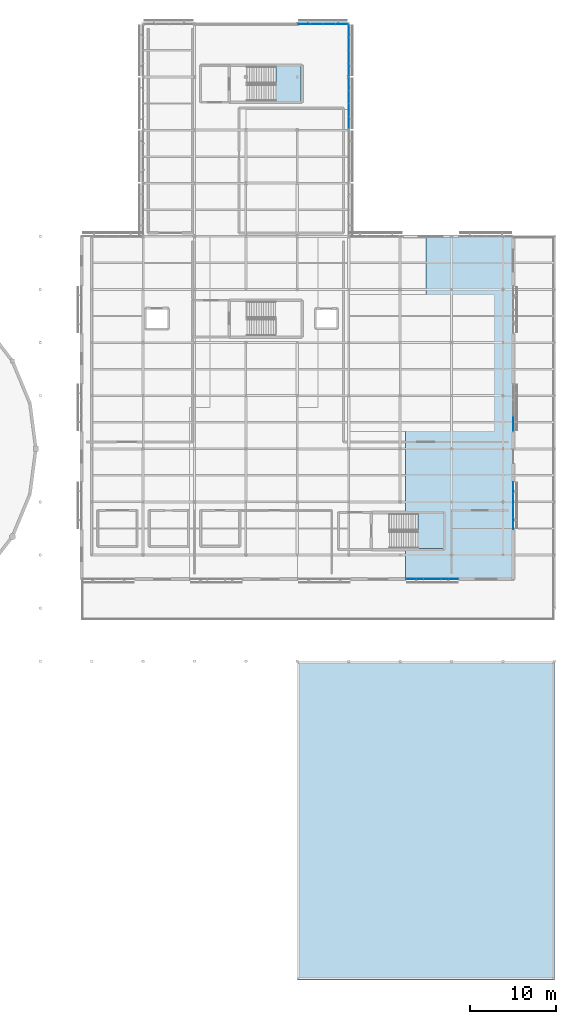
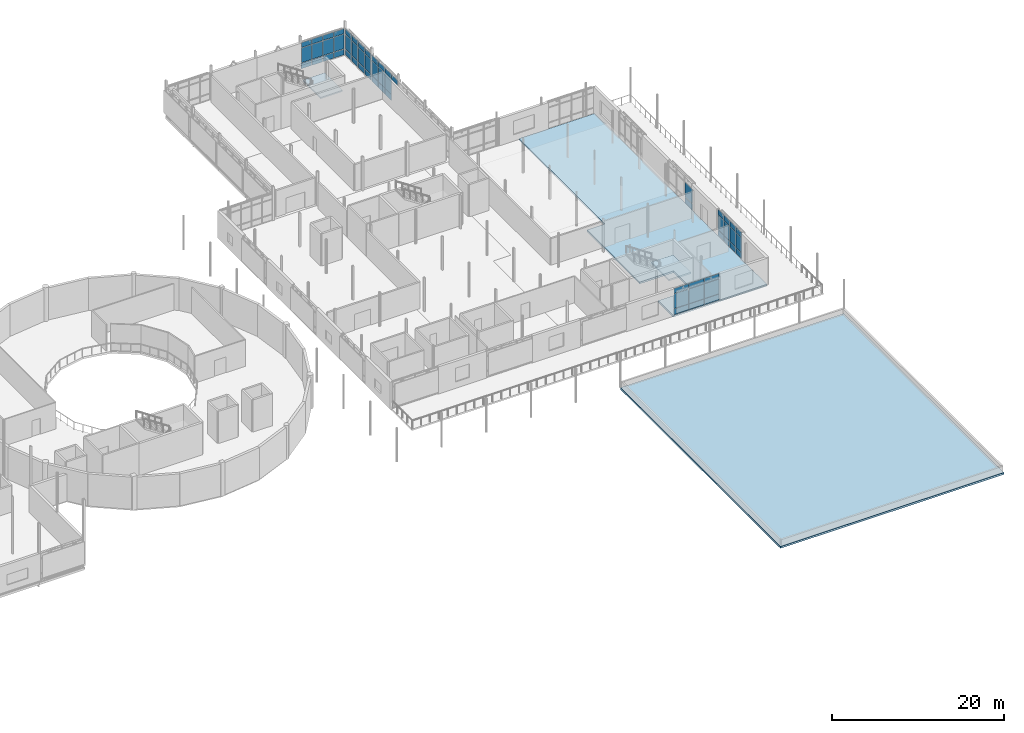
# One storey, part 42 of 66: 57 plates, 4 slabs, 8 elements without a shape of their own.
"""IFC4 building model written with IfcOpenShell, lengths in metres."""

from ifc_helpers import new_model, si_unit, direction, frame, origin, origin_2d, place, context, subcontext, project, spatial, polyline, rectangle, outline, extrude, material, layer, layer_set, type_object, element, aggregate, save


model = new_model("IFC4")

# Units and contexts
model_context = context("Model", 3, precision=1e-05, world=origin(), true_north=direction((0.0, 1.0)))
body_context = subcontext(model_context, "Body", "Model", "MODEL_VIEW")
ifc_project = project(units=[si_unit("LENGTHUNIT", "METRE"), si_unit("AREAUNIT", "SQUARE_METRE"), si_unit("VOLUMEUNIT", "CUBIC_METRE"), si_unit("PLANEANGLEUNIT", "RADIAN"), si_unit("MASSUNIT", "GRAM", prefix="KILO")], contexts=[model_context])

# Site, building, storey
site_placement = place(None, origin())
site = spatial("IfcSite", under=ifc_project, at=site_placement, CompositionType="ELEMENT")
building_placement = place(site_placement, origin())
building = spatial("IfcBuilding", under=site, at=building_placement, Name="Mirzam Square Science Centre", CompositionType="ELEMENT")
storey_placement = place(building_placement, frame((0.0, 0.0, 15.60009765625)))
storey = spatial("IfcBuildingStorey", under=building, at=storey_placement, Name="L03", CompositionType="ELEMENT", Elevation=15.60009765625)

# Curtain wall, plates
ifc_material_1 = material(Name="Anodised Aluminium and Low-E Solar Glass", Category="aluminium")
ifc_layer_1 = layer(ifc_material_1, 0.159912109375)
ifc_layer_set_1 = layer_set([ifc_layer_1], Name="CW-COURT-B")
curtain_wall_type_1 = type_object("IfcCurtainWallType", Name="CW-COURT-B", PredefinedType="USERDEFINED", material=ifc_layer_set_1)
curtain_wall_1_placement = place(storey_placement, origin())
curtain_wall_1 = element("IfcCurtainWall", 1, at=curtain_wall_1_placement, inside=storey, type_object=curtain_wall_type_1, Name="L03 unitised curtain wall 127", ObjectType="UNITISED CURTAIN WALL", PredefinedType="USERDEFINED")
ifc_material_2 = material(Name="Ceramic-Fritted Courtyard Solar Glass", Category="glass")
ifc_layer_2 = layer(ifc_material_2, 0.02392578125)
ifc_layer_set_2 = layer_set([ifc_layer_2], Name="CWP-GLZ-24")
plate_type_1 = type_object("IfcPlateType", Name="CWP-GLZ-24", PredefinedType="CURTAIN_PANEL", material=ifc_layer_set_2)
plate_1_placement = place(storey_placement, frame((157.199951171875, 53.284912109375, 0.059814453125), z_axis=(0.0, 0.0, 1.0), x_axis=(0.0, 1.0, 0.0)))
plate_1 = element("IfcPlate", 2, at=plate_1_placement, type_object=plate_type_1, Name="CW-04 panel 1.1", PredefinedType="CURTAIN_PANEL", context=body_context, shape_type="SweptSolid", body=[
    extrude(rectangle(XDim=1.31103515625, YDim=0.02392578125, at=origin_2d()), origin(), (0.0, 0.0, 1.0), 0.81005859375),
])
plate_2_placement = place(storey_placement, frame((157.199951171875, 53.284912109375, 0.929931640625), z_axis=(0.0, 0.0, 1.0), x_axis=(0.0, 1.0, 0.0)))
plate_2 = element("IfcPlate", 3, at=plate_2_placement, type_object=plate_type_1, Name="CW-04 panel 1.2", PredefinedType="CURTAIN_PANEL", context=body_context, shape_type="SweptSolid", body=[
    extrude(rectangle(XDim=1.31103515625, YDim=0.02392578125, at=origin_2d()), origin(), (0.0, 0.0, 1.0), 2.080078125),
])
plate_3_placement = place(storey_placement, frame((157.199951171875, 53.284912109375, 3.06982421875), z_axis=(0.0, 0.0, 1.0), x_axis=(0.0, 1.0, 0.0)))
plate_3 = element("IfcPlate", 4, at=plate_3_placement, type_object=plate_type_1, Name="CW-04 panel 1.3", PredefinedType="CURTAIN_PANEL", context=body_context, shape_type="SweptSolid", body=[
    extrude(rectangle(XDim=1.31103515625, YDim=0.02392578125, at=origin_2d()), origin(), (0.0, 0.0, 1.0), 0.7099609375),
])
plate_4_placement = place(storey_placement, frame((157.199951171875, 54.6708984375, 0.059814453125), z_axis=(0.0, 0.0, 1.0), x_axis=(0.0, 1.0, 0.0)))
plate_4 = element("IfcPlate", 5, at=plate_4_placement, type_object=plate_type_1, Name="CW-04 panel 2.1", PredefinedType="CURTAIN_PANEL", context=body_context, shape_type="SweptSolid", body=[
    extrude(rectangle(XDim=1.341064453125, YDim=0.02392578125, at=origin_2d()), origin(), (0.0, 0.0, 1.0), 0.81005859375),
])
plate_5_placement = place(storey_placement, frame((157.199951171875, 54.6708984375, 0.929931640625), z_axis=(0.0, 0.0, 1.0), x_axis=(0.0, 1.0, 0.0)))
plate_5 = element("IfcPlate", 6, at=plate_5_placement, type_object=plate_type_1, Name="CW-04 panel 2.2", PredefinedType="CURTAIN_PANEL", context=body_context, shape_type="SweptSolid", body=[
    extrude(rectangle(XDim=1.341064453125, YDim=0.02392578125, at=origin_2d()), origin(), (0.0, 0.0, 1.0), 2.080078125),
])
plate_6_placement = place(storey_placement, frame((157.199951171875, 54.6708984375, 3.06982421875), z_axis=(0.0, 0.0, 1.0), x_axis=(0.0, 1.0, 0.0)))
plate_6 = element("IfcPlate", 7, at=plate_6_placement, type_object=plate_type_1, Name="CW-04 panel 2.3", PredefinedType="CURTAIN_PANEL", context=body_context, shape_type="SweptSolid", body=[
    extrude(rectangle(XDim=1.341064453125, YDim=0.02392578125, at=origin_2d()), origin(), (0.0, 0.0, 1.0), 0.7099609375),
])
plate_7_placement = place(storey_placement, frame((157.199951171875, 56.072021484375, 0.059814453125), z_axis=(0.0, 0.0, 1.0), x_axis=(0.0, 1.0, 0.0)))
plate_7 = element("IfcPlate", 8, at=plate_7_placement, type_object=plate_type_1, Name="CW-04 panel 3.1", PredefinedType="CURTAIN_PANEL", context=body_context, shape_type="SweptSolid", body=[
    extrude(rectangle(XDim=1.341064453125, YDim=0.02392578125, at=origin_2d()), origin(), (0.0, 0.0, 1.0), 0.81005859375),
])
plate_8_placement = place(storey_placement, frame((157.199951171875, 56.072021484375, 0.929931640625), z_axis=(0.0, 0.0, 1.0), x_axis=(0.0, 1.0, 0.0)))
plate_8 = element("IfcPlate", 9, at=plate_8_placement, type_object=plate_type_1, Name="CW-04 panel 3.2", PredefinedType="CURTAIN_PANEL", context=body_context, shape_type="SweptSolid", body=[
    extrude(rectangle(XDim=1.341064453125, YDim=0.02392578125, at=origin_2d()), origin(), (0.0, 0.0, 1.0), 2.080078125),
])
plate_9_placement = place(storey_placement, frame((157.199951171875, 56.072021484375, 3.06982421875), z_axis=(0.0, 0.0, 1.0), x_axis=(0.0, 1.0, 0.0)))
plate_9 = element("IfcPlate", 10, at=plate_9_placement, type_object=plate_type_1, Name="CW-04 panel 3.3", PredefinedType="CURTAIN_PANEL", context=body_context, shape_type="SweptSolid", body=[
    extrude(rectangle(XDim=1.341064453125, YDim=0.02392578125, at=origin_2d()), origin(), (0.0, 0.0, 1.0), 0.7099609375),
])
plate_10_placement = place(storey_placement, frame((157.199951171875, 57.4580078125, 0.059814453125), z_axis=(0.0, 0.0, 1.0), x_axis=(0.0, 1.0, 0.0)))
plate_10 = element("IfcPlate", 11, at=plate_10_placement, type_object=plate_type_1, Name="CW-04 panel 4.1", PredefinedType="CURTAIN_PANEL", context=body_context, shape_type="SweptSolid", body=[
    extrude(rectangle(XDim=1.31103515625, YDim=0.02392578125, at=origin_2d()), origin(), (0.0, 0.0, 1.0), 0.81005859375),
])
plate_11_placement = place(storey_placement, frame((157.199951171875, 57.4580078125, 0.929931640625), z_axis=(0.0, 0.0, 1.0), x_axis=(0.0, 1.0, 0.0)))
plate_11 = element("IfcPlate", 12, at=plate_11_placement, type_object=plate_type_1, Name="CW-04 panel 4.2", PredefinedType="CURTAIN_PANEL", context=body_context, shape_type="SweptSolid", body=[
    extrude(rectangle(XDim=1.31103515625, YDim=0.02392578125, at=origin_2d()), origin(), (0.0, 0.0, 1.0), 2.080078125),
])
plate_12_placement = place(storey_placement, frame((157.199951171875, 57.4580078125, 3.06982421875), z_axis=(0.0, 0.0, 1.0), x_axis=(0.0, 1.0, 0.0)))
plate_12 = element("IfcPlate", 13, at=plate_12_placement, type_object=plate_type_1, Name="CW-04 panel 4.3", PredefinedType="CURTAIN_PANEL", context=body_context, shape_type="SweptSolid", body=[
    extrude(rectangle(XDim=1.31103515625, YDim=0.02392578125, at=origin_2d()), origin(), (0.0, 0.0, 1.0), 0.7099609375),
])
aggregate(curtain_wall_1, [plate_1, plate_2, plate_3, plate_4, plate_5, plate_6, plate_7, plate_8, plate_9, plate_10, plate_11, plate_12])

ifc_layer_3 = layer(ifc_material_1, 0.239990234375)
ifc_layer_set_3 = layer_set([ifc_layer_3], Name="CW-EAST-B")
curtain_wall_type_2 = type_object("IfcCurtainWallType", Name="CW-EAST-B", PredefinedType="USERDEFINED", material=ifc_layer_set_3)
curtain_wall_2_placement = place(storey_placement, origin())
curtain_wall_2 = element("IfcCurtainWall", 14, at=curtain_wall_2_placement, inside=storey, type_object=curtain_wall_type_2, Name="L03 unitised curtain wall 128", ObjectType="UNITISED CURTAIN WALL", PredefinedType="USERDEFINED")
ifc_material_3 = material(Name="Double-Silver Low-E Insulated Solar Glass", Category="glass")
ifc_layer_4 = layer(ifc_material_3, 0.028076171875)
ifc_layer_set_4 = layer_set([ifc_layer_4], Name="CWP-GLZ-28")
plate_type_2 = type_object("IfcPlateType", Name="CWP-GLZ-28", PredefinedType="CURTAIN_PANEL", material=ifc_layer_set_4)
plate_13_placement = place(storey_placement, frame((157.199951171875, 64.95068359375, 0.074951171875), z_axis=(0.0, 0.0, 1.0), x_axis=(0.0, 1.0, 0.0)))
plate_13 = element("IfcPlate", 15, at=plate_13_placement, type_object=plate_type_2, Name="CW-06 panel 1.1", PredefinedType="CURTAIN_PANEL", context=body_context, shape_type="SweptSolid", body=[
    extrude(rectangle(XDim=1.755615234375, YDim=0.028076171875, at=origin_2d()), origin(), (0.0, 0.0, 1.0), 0.78759765625),
])
plate_14_placement = place(storey_placement, frame((157.199951171875, 64.95068359375, 0.9375), z_axis=(0.0, 0.0, 1.0), x_axis=(0.0, 1.0, 0.0)))
plate_14 = element("IfcPlate", 16, at=plate_14_placement, type_object=plate_type_2, Name="CW-06 panel 1.2", PredefinedType="CURTAIN_PANEL", context=body_context, shape_type="SweptSolid", body=[
    extrude(rectangle(XDim=1.755615234375, YDim=0.028076171875, at=origin_2d()), origin(), (0.0, 0.0, 1.0), 2.06494140625),
])
aggregate(curtain_wall_2, [plate_13, plate_14])

ifc_layer_5 = layer(ifc_material_1, 0.219970703125)
ifc_layer_set_5 = layer_set([ifc_layer_5], Name="CW-OBS-A")
curtain_wall_type_3 = type_object("IfcCurtainWallType", Name="CW-OBS-A", PredefinedType="USERDEFINED", material=ifc_layer_set_5)
curtain_wall_3_placement = place(storey_placement, origin())
curtain_wall_3 = element("IfcCurtainWall", 17, at=curtain_wall_3_placement, inside=storey, type_object=curtain_wall_type_3, Name="L03 unitised curtain wall 143", ObjectType="UNITISED CURTAIN WALL", PredefinedType="USERDEFINED")
ifc_material_4 = material(Name="Triple-Glazed Acoustic Low-E Solar Glass", Category="glass")
ifc_layer_6 = layer(ifc_material_4, 0.031982421875)
ifc_layer_set_6 = layer_set([ifc_layer_6], Name="CWP-GLZ-32")
plate_type_3 = type_object("IfcPlateType", Name="CWP-GLZ-32", PredefinedType="CURTAIN_PANEL", material=ifc_layer_set_6)
plate_15_placement = place(storey_placement, frame((138.0, 100.03125, 3.06982421875), z_axis=(0.0, 0.0, 1.0), x_axis=(0.0, 1.0, 0.0)))
plate_15 = element("IfcPlate", 18, at=plate_15_placement, type_object=plate_type_3, Name="CW-07 panel 1.3", PredefinedType="CURTAIN_PANEL", context=body_context, shape_type="SweptSolid", body=[
    extrude(rectangle(XDim=1.4326171875, YDim=0.031982421875, at=origin_2d()), origin(), (0.0, 0.0, 1.0), 0.7099609375),
])
plate_16_placement = place(storey_placement, frame((138.0, 101.538818359375, 0.059814453125), z_axis=(0.0, 0.0, 1.0), x_axis=(0.0, 1.0, 0.0)))
plate_16 = element("IfcPlate", 19, at=plate_16_placement, type_object=plate_type_3, Name="CW-07 panel 2.1", PredefinedType="CURTAIN_PANEL", context=body_context, shape_type="SweptSolid", body=[
    extrude(rectangle(XDim=1.46240234375, YDim=0.031982421875, at=origin_2d()), origin(), (0.0, 0.0, 1.0), 0.81005859375),
])
plate_17_placement = place(storey_placement, frame((138.0, 101.538818359375, 0.929931640625), z_axis=(0.0, 0.0, 1.0), x_axis=(0.0, 1.0, 0.0)))
plate_17 = element("IfcPlate", 20, at=plate_17_placement, type_object=plate_type_3, Name="CW-07 panel 2.2", PredefinedType="CURTAIN_PANEL", context=body_context, shape_type="SweptSolid", body=[
    extrude(rectangle(XDim=1.46240234375, YDim=0.031982421875, at=origin_2d()), origin(), (0.0, 0.0, 1.0), 2.080078125),
])
plate_18_placement = place(storey_placement, frame((138.0, 101.538818359375, 3.06982421875), z_axis=(0.0, 0.0, 1.0), x_axis=(0.0, 1.0, 0.0)))
plate_18 = element("IfcPlate", 21, at=plate_18_placement, type_object=plate_type_3, Name="CW-07 panel 2.3", PredefinedType="CURTAIN_PANEL", context=body_context, shape_type="SweptSolid", body=[
    extrude(rectangle(XDim=1.46240234375, YDim=0.031982421875, at=origin_2d()), origin(), (0.0, 0.0, 1.0), 0.7099609375),
])
plate_19_placement = place(storey_placement, frame((138.0, 103.061279296875, 0.059814453125), z_axis=(0.0, 0.0, 1.0), x_axis=(0.0, 1.0, 0.0)))
plate_19 = element("IfcPlate", 22, at=plate_19_placement, type_object=plate_type_3, Name="CW-07 panel 3.1", PredefinedType="CURTAIN_PANEL", context=body_context, shape_type="SweptSolid", body=[
    extrude(rectangle(XDim=1.46240234375, YDim=0.031982421875, at=origin_2d()), origin(), (0.0, 0.0, 1.0), 0.81005859375),
])
plate_20_placement = place(storey_placement, frame((138.0, 103.061279296875, 0.929931640625), z_axis=(0.0, 0.0, 1.0), x_axis=(0.0, 1.0, 0.0)))
plate_20 = element("IfcPlate", 23, at=plate_20_placement, type_object=plate_type_3, Name="CW-07 panel 3.2", PredefinedType="CURTAIN_PANEL", context=body_context, shape_type="SweptSolid", body=[
    extrude(rectangle(XDim=1.46240234375, YDim=0.031982421875, at=origin_2d()), origin(), (0.0, 0.0, 1.0), 2.080078125),
])
plate_21_placement = place(storey_placement, frame((138.0, 103.061279296875, 3.06982421875), z_axis=(0.0, 0.0, 1.0), x_axis=(0.0, 1.0, 0.0)))
plate_21 = element("IfcPlate", 24, at=plate_21_placement, type_object=plate_type_3, Name="CW-07 panel 3.3", PredefinedType="CURTAIN_PANEL", context=body_context, shape_type="SweptSolid", body=[
    extrude(rectangle(XDim=1.46240234375, YDim=0.031982421875, at=origin_2d()), origin(), (0.0, 0.0, 1.0), 0.7099609375),
])
plate_22_placement = place(storey_placement, frame((138.0, 104.56884765625, 0.059814453125), z_axis=(0.0, 0.0, 1.0), x_axis=(0.0, 1.0, 0.0)))
plate_22 = element("IfcPlate", 25, at=plate_22_placement, type_object=plate_type_3, Name="CW-07 panel 4.1", PredefinedType="CURTAIN_PANEL", context=body_context, shape_type="SweptSolid", body=[
    extrude(rectangle(XDim=1.4326171875, YDim=0.031982421875, at=origin_2d()), origin(), (0.0, 0.0, 1.0), 0.81005859375),
])
plate_23_placement = place(storey_placement, frame((138.0, 104.56884765625, 0.929931640625), z_axis=(0.0, 0.0, 1.0), x_axis=(0.0, 1.0, 0.0)))
plate_23 = element("IfcPlate", 26, at=plate_23_placement, type_object=plate_type_3, Name="CW-07 panel 4.2", PredefinedType="CURTAIN_PANEL", context=body_context, shape_type="SweptSolid", body=[
    extrude(rectangle(XDim=1.4326171875, YDim=0.031982421875, at=origin_2d()), origin(), (0.0, 0.0, 1.0), 2.080078125),
])
plate_24_placement = place(storey_placement, frame((138.0, 104.56884765625, 3.06982421875), z_axis=(0.0, 0.0, 1.0), x_axis=(0.0, 1.0, 0.0)))
plate_24 = element("IfcPlate", 27, at=plate_24_placement, type_object=plate_type_3, Name="CW-07 panel 4.3", PredefinedType="CURTAIN_PANEL", context=body_context, shape_type="SweptSolid", body=[
    extrude(rectangle(XDim=1.4326171875, YDim=0.031982421875, at=origin_2d()), origin(), (0.0, 0.0, 1.0), 0.7099609375),
])
aggregate(curtain_wall_3, [plate_15, plate_16, plate_17, plate_18, plate_19, plate_20, plate_21, plate_22, plate_23, plate_24])

curtain_wall_4_placement = place(storey_placement, origin())
curtain_wall_4 = element("IfcCurtainWall", 28, at=curtain_wall_4_placement, inside=storey, type_object=curtain_wall_type_3, Name="L03 unitised curtain wall 137", ObjectType="UNITISED CURTAIN WALL", PredefinedType="USERDEFINED")
ifc_material_5 = material(Name="Laminated Low-Iron Observatory Solar Glass", Category="glass")
ifc_layer_7 = layer(ifc_material_5, 0.035888671875)
ifc_layer_set_7 = layer_set([ifc_layer_7], Name="CWP-GLZ-36")
plate_type_4 = type_object("IfcPlateType", Name="CWP-GLZ-36", PredefinedType="CURTAIN_PANEL", material=ifc_layer_set_7)
plate_25_placement = place(storey_placement, frame((137.1923828125, 111.60009765625, 0.06494140625), z_axis=(0.0, 0.0, 1.0), x_axis=(-1.0, 0.0, 0.0)))
plate_25 = element("IfcPlate", 29, at=plate_25_placement, type_object=plate_type_4, Name="CW-07 panel 1.1", PredefinedType="CURTAIN_PANEL", context=body_context, shape_type="SweptSolid", body=[
    extrude(rectangle(XDim=1.375, YDim=0.035888671875, at=origin_2d()), origin(), (0.0, 0.0, 1.0), 0.802490234375),
])
plate_26_placement = place(storey_placement, frame((137.1923828125, 111.60009765625, 0.9326171875), z_axis=(0.0, 0.0, 1.0), x_axis=(-1.0, 0.0, 0.0)))
plate_26 = element("IfcPlate", 30, at=plate_26_placement, type_object=plate_type_4, Name="CW-07 panel 1.2", PredefinedType="CURTAIN_PANEL", context=body_context, shape_type="SweptSolid", body=[
    extrude(rectangle(XDim=1.375, YDim=0.035888671875, at=origin_2d()), origin(), (0.0, 0.0, 1.0), 2.074951171875),
])
plate_27_placement = place(storey_placement, frame((137.1923828125, 111.60009765625, 3.072265625), z_axis=(0.0, 0.0, 1.0), x_axis=(-1.0, 0.0, 0.0)))
plate_27 = element("IfcPlate", 31, at=plate_27_placement, type_object=plate_type_4, Name="CW-07 panel 1.3", PredefinedType="CURTAIN_PANEL", context=body_context, shape_type="SweptSolid", body=[
    extrude(rectangle(XDim=1.375, YDim=0.035888671875, at=origin_2d()), origin(), (0.0, 0.0, 1.0), 0.702392578125),
])
plate_28_placement = place(storey_placement, frame((135.736328125, 111.60009765625, 0.06494140625), z_axis=(0.0, 0.0, 1.0), x_axis=(-1.0, 0.0, 0.0)))
plate_28 = element("IfcPlate", 32, at=plate_28_placement, type_object=plate_type_4, Name="CW-07 panel 2.1", PredefinedType="CURTAIN_PANEL", context=body_context, shape_type="SweptSolid", body=[
    extrude(rectangle(XDim=1.407470703125, YDim=0.035888671875, at=origin_2d()), origin(), (0.0, 0.0, 1.0), 0.802490234375),
])
plate_29_placement = place(storey_placement, frame((135.736328125, 111.60009765625, 0.9326171875), z_axis=(0.0, 0.0, 1.0), x_axis=(-1.0, 0.0, 0.0)))
plate_29 = element("IfcPlate", 33, at=plate_29_placement, type_object=plate_type_4, Name="CW-07 panel 2.2", PredefinedType="CURTAIN_PANEL", context=body_context, shape_type="SweptSolid", body=[
    extrude(rectangle(XDim=1.407470703125, YDim=0.035888671875, at=origin_2d()), origin(), (0.0, 0.0, 1.0), 2.074951171875),
])
plate_30_placement = place(storey_placement, frame((135.736328125, 111.60009765625, 3.072265625), z_axis=(0.0, 0.0, 1.0), x_axis=(-1.0, 0.0, 0.0)))
plate_30 = element("IfcPlate", 34, at=plate_30_placement, type_object=plate_type_4, Name="CW-07 panel 2.3", PredefinedType="CURTAIN_PANEL", context=body_context, shape_type="SweptSolid", body=[
    extrude(rectangle(XDim=1.407470703125, YDim=0.035888671875, at=origin_2d()), origin(), (0.0, 0.0, 1.0), 0.702392578125),
])
plate_31_placement = place(storey_placement, frame((134.263671875, 111.60009765625, 0.06494140625), z_axis=(0.0, 0.0, 1.0), x_axis=(-1.0, 0.0, 0.0)))
plate_31 = element("IfcPlate", 35, at=plate_31_placement, type_object=plate_type_4, Name="CW-07 panel 3.1", PredefinedType="CURTAIN_PANEL", context=body_context, shape_type="SweptSolid", body=[
    extrude(rectangle(XDim=1.407470703125, YDim=0.035888671875, at=origin_2d()), origin(), (0.0, 0.0, 1.0), 0.802490234375),
])
plate_32_placement = place(storey_placement, frame((134.263671875, 111.60009765625, 0.9326171875), z_axis=(0.0, 0.0, 1.0), x_axis=(-1.0, 0.0, 0.0)))
plate_32 = element("IfcPlate", 36, at=plate_32_placement, type_object=plate_type_4, Name="CW-07 panel 3.2", PredefinedType="CURTAIN_PANEL", context=body_context, shape_type="SweptSolid", body=[
    extrude(rectangle(XDim=1.407470703125, YDim=0.035888671875, at=origin_2d()), origin(), (0.0, 0.0, 1.0), 2.074951171875),
])
plate_33_placement = place(storey_placement, frame((134.263671875, 111.60009765625, 3.072265625), z_axis=(0.0, 0.0, 1.0), x_axis=(-1.0, 0.0, 0.0)))
plate_33 = element("IfcPlate", 37, at=plate_33_placement, type_object=plate_type_4, Name="CW-07 panel 3.3", PredefinedType="CURTAIN_PANEL", context=body_context, shape_type="SweptSolid", body=[
    extrude(rectangle(XDim=1.407470703125, YDim=0.035888671875, at=origin_2d()), origin(), (0.0, 0.0, 1.0), 0.702392578125),
])
plate_34_placement = place(storey_placement, frame((132.8076171875, 111.60009765625, 0.06494140625), z_axis=(0.0, 0.0, 1.0), x_axis=(-1.0, 0.0, 0.0)))
plate_34 = element("IfcPlate", 38, at=plate_34_placement, type_object=plate_type_4, Name="CW-07 panel 4.1", PredefinedType="CURTAIN_PANEL", context=body_context, shape_type="SweptSolid", body=[
    extrude(rectangle(XDim=1.375, YDim=0.035888671875, at=origin_2d()), origin(), (0.0, 0.0, 1.0), 0.802490234375),
])
plate_35_placement = place(storey_placement, frame((132.8076171875, 111.60009765625, 0.9326171875), z_axis=(0.0, 0.0, 1.0), x_axis=(-1.0, 0.0, 0.0)))
plate_35 = element("IfcPlate", 39, at=plate_35_placement, type_object=plate_type_4, Name="CW-07 panel 4.2", PredefinedType="CURTAIN_PANEL", context=body_context, shape_type="SweptSolid", body=[
    extrude(rectangle(XDim=1.375, YDim=0.035888671875, at=origin_2d()), origin(), (0.0, 0.0, 1.0), 2.074951171875),
])
plate_36_placement = place(storey_placement, frame((132.8076171875, 111.60009765625, 3.072265625), z_axis=(0.0, 0.0, 1.0), x_axis=(-1.0, 0.0, 0.0)))
plate_36 = element("IfcPlate", 40, at=plate_36_placement, type_object=plate_type_4, Name="CW-07 panel 4.3", PredefinedType="CURTAIN_PANEL", context=body_context, shape_type="SweptSolid", body=[
    extrude(rectangle(XDim=1.375, YDim=0.035888671875, at=origin_2d()), origin(), (0.0, 0.0, 1.0), 0.702392578125),
])
aggregate(curtain_wall_4, [plate_25, plate_26, plate_27, plate_28, plate_29, plate_30, plate_31, plate_32, plate_33, plate_34, plate_35, plate_36])

ifc_layer_8 = layer(ifc_material_1, 0.179931640625)
ifc_layer_set_8 = layer_set([ifc_layer_8], Name="CW-LINK-A")
curtain_wall_type_4 = type_object("IfcCurtainWallType", Name="CW-LINK-A", PredefinedType="USERDEFINED", material=ifc_layer_set_8)
curtain_wall_5_placement = place(storey_placement, origin())
curtain_wall_5 = element("IfcCurtainWall", 41, at=curtain_wall_5_placement, inside=storey, type_object=curtain_wall_type_4, Name="L03 unitised curtain wall 145", ObjectType="UNITISED CURTAIN WALL", PredefinedType="USERDEFINED")
plate_37_placement = place(storey_placement, frame((138.0, 106.232421875, 0.06494140625), z_axis=(0.0, 0.0, 1.0), x_axis=(0.0, 1.0, 0.0)))
plate_37 = element("IfcPlate", 42, at=plate_37_placement, type_object=plate_type_4, Name="CW-08 panel 1.1", PredefinedType="CURTAIN_PANEL", context=body_context, shape_type="SweptSolid", body=[
    extrude(rectangle(XDim=1.425048828125, YDim=0.035888671875, at=origin_2d()), origin(), (0.0, 0.0, 1.0), 0.802490234375),
])
plate_38_placement = place(storey_placement, frame((138.0, 106.232421875, 0.9326171875), z_axis=(0.0, 0.0, 1.0), x_axis=(0.0, 1.0, 0.0)))
plate_38 = element("IfcPlate", 43, at=plate_38_placement, type_object=plate_type_4, Name="CW-08 panel 1.2", PredefinedType="CURTAIN_PANEL", context=body_context, shape_type="SweptSolid", body=[
    extrude(rectangle(XDim=1.425048828125, YDim=0.035888671875, at=origin_2d()), origin(), (0.0, 0.0, 1.0), 2.074951171875),
])
plate_39_placement = place(storey_placement, frame((138.0, 106.232421875, 3.072265625), z_axis=(0.0, 0.0, 1.0), x_axis=(0.0, 1.0, 0.0)))
plate_39 = element("IfcPlate", 44, at=plate_39_placement, type_object=plate_type_4, Name="CW-08 panel 1.3", PredefinedType="CURTAIN_PANEL", context=body_context, shape_type="SweptSolid", body=[
    extrude(rectangle(XDim=1.425048828125, YDim=0.035888671875, at=origin_2d()), origin(), (0.0, 0.0, 1.0), 0.702392578125),
])
plate_40_placement = place(storey_placement, frame((138.0, 107.73876953125, 0.06494140625), z_axis=(0.0, 0.0, 1.0), x_axis=(0.0, 1.0, 0.0)))
plate_40 = element("IfcPlate", 45, at=plate_40_placement, type_object=plate_type_4, Name="CW-08 panel 2.1", PredefinedType="CURTAIN_PANEL", context=body_context, shape_type="SweptSolid", body=[
    extrude(rectangle(XDim=1.45751953125, YDim=0.035888671875, at=origin_2d()), origin(), (0.0, 0.0, 1.0), 0.802490234375),
])
plate_41_placement = place(storey_placement, frame((138.0, 107.73876953125, 0.9326171875), z_axis=(0.0, 0.0, 1.0), x_axis=(0.0, 1.0, 0.0)))
plate_41 = element("IfcPlate", 46, at=plate_41_placement, type_object=plate_type_4, Name="CW-08 panel 2.2", PredefinedType="CURTAIN_PANEL", context=body_context, shape_type="SweptSolid", body=[
    extrude(rectangle(XDim=1.45751953125, YDim=0.035888671875, at=origin_2d()), origin(), (0.0, 0.0, 1.0), 2.074951171875),
])
plate_42_placement = place(storey_placement, frame((138.0, 107.73876953125, 3.072265625), z_axis=(0.0, 0.0, 1.0), x_axis=(0.0, 1.0, 0.0)))
plate_42 = element("IfcPlate", 47, at=plate_42_placement, type_object=plate_type_4, Name="CW-08 panel 2.3", PredefinedType="CURTAIN_PANEL", context=body_context, shape_type="SweptSolid", body=[
    extrude(rectangle(XDim=1.45751953125, YDim=0.035888671875, at=origin_2d()), origin(), (0.0, 0.0, 1.0), 0.702392578125),
])
plate_43_placement = place(storey_placement, frame((138.0, 109.26123046875, 0.06494140625), z_axis=(0.0, 0.0, 1.0), x_axis=(0.0, 1.0, 0.0)))
plate_43 = element("IfcPlate", 48, at=plate_43_placement, type_object=plate_type_4, Name="CW-08 panel 3.1", PredefinedType="CURTAIN_PANEL", context=body_context, shape_type="SweptSolid", body=[
    extrude(rectangle(XDim=1.45751953125, YDim=0.035888671875, at=origin_2d()), origin(), (0.0, 0.0, 1.0), 0.802490234375),
])
plate_44_placement = place(storey_placement, frame((138.0, 109.26123046875, 0.9326171875), z_axis=(0.0, 0.0, 1.0), x_axis=(0.0, 1.0, 0.0)))
plate_44 = element("IfcPlate", 49, at=plate_44_placement, type_object=plate_type_4, Name="CW-08 panel 3.2", PredefinedType="CURTAIN_PANEL", context=body_context, shape_type="SweptSolid", body=[
    extrude(rectangle(XDim=1.45751953125, YDim=0.035888671875, at=origin_2d()), origin(), (0.0, 0.0, 1.0), 2.074951171875),
])
plate_45_placement = place(storey_placement, frame((138.0, 109.26123046875, 3.072265625), z_axis=(0.0, 0.0, 1.0), x_axis=(0.0, 1.0, 0.0)))
plate_45 = element("IfcPlate", 50, at=plate_45_placement, type_object=plate_type_4, Name="CW-08 panel 3.3", PredefinedType="CURTAIN_PANEL", context=body_context, shape_type="SweptSolid", body=[
    extrude(rectangle(XDim=1.45751953125, YDim=0.035888671875, at=origin_2d()), origin(), (0.0, 0.0, 1.0), 0.702392578125),
])
plate_46_placement = place(storey_placement, frame((138.0, 110.767578125, 0.06494140625), z_axis=(0.0, 0.0, 1.0), x_axis=(0.0, 1.0, 0.0)))
plate_46 = element("IfcPlate", 51, at=plate_46_placement, type_object=plate_type_4, Name="CW-08 panel 4.1", PredefinedType="CURTAIN_PANEL", context=body_context, shape_type="SweptSolid", body=[
    extrude(rectangle(XDim=1.425048828125, YDim=0.035888671875, at=origin_2d()), origin(), (0.0, 0.0, 1.0), 0.802490234375),
])
plate_47_placement = place(storey_placement, frame((138.0, 110.767578125, 0.9326171875), z_axis=(0.0, 0.0, 1.0), x_axis=(0.0, 1.0, 0.0)))
plate_47 = element("IfcPlate", 52, at=plate_47_placement, type_object=plate_type_4, Name="CW-08 panel 4.2", PredefinedType="CURTAIN_PANEL", context=body_context, shape_type="SweptSolid", body=[
    extrude(rectangle(XDim=1.425048828125, YDim=0.035888671875, at=origin_2d()), origin(), (0.0, 0.0, 1.0), 2.074951171875),
])
plate_48_placement = place(storey_placement, frame((138.0, 110.767578125, 3.072265625), z_axis=(0.0, 0.0, 1.0), x_axis=(0.0, 1.0, 0.0)))
plate_48 = element("IfcPlate", 53, at=plate_48_placement, type_object=plate_type_4, Name="CW-08 panel 4.3", PredefinedType="CURTAIN_PANEL", context=body_context, shape_type="SweptSolid", body=[
    extrude(rectangle(XDim=1.425048828125, YDim=0.035888671875, at=origin_2d()), origin(), (0.0, 0.0, 1.0), 0.702392578125),
])
aggregate(curtain_wall_5, [plate_37, plate_38, plate_39, plate_40, plate_41, plate_42, plate_43, plate_44, plate_45, plate_46, plate_47, plate_48])

ifc_layer_9 = layer(ifc_material_1, 0.199951171875)
ifc_layer_set_9 = layer_set([ifc_layer_9], Name="CW-PARK-B")
curtain_wall_type_5 = type_object("IfcCurtainWallType", Name="CW-PARK-B", PredefinedType="USERDEFINED", material=ifc_layer_set_9)
curtain_wall_6_placement = place(storey_placement, origin())
curtain_wall_6 = element("IfcCurtainWall", 54, at=curtain_wall_6_placement, inside=storey, type_object=curtain_wall_type_5, Name="L03 unitised curtain wall 126", ObjectType="UNITISED CURTAIN WALL", PredefinedType="USERDEFINED")
ifc_material_6 = material(Name="Acoustic Laminated Solar Spandrel Glass", Category="glass")
ifc_layer_10 = layer(ifc_material_6, 0.0400390625)
ifc_layer_set_10 = layer_set([ifc_layer_10], Name="CWP-GLZ-40")
plate_type_5 = type_object("IfcPlateType", Name="CWP-GLZ-40", PredefinedType="CURTAIN_PANEL", material=ifc_layer_set_10)
plate_49_placement = place(storey_placement, frame((145.70166015625, 46.800048828125, 0.059814453125), z_axis=(0.0, 0.0, 1.0), x_axis=(1.0, 0.0, 0.0)))
plate_49 = element("IfcPlate", 55, at=plate_49_placement, type_object=plate_type_5, Name="CW-02 panel 1.1", PredefinedType="CURTAIN_PANEL", context=body_context, shape_type="SweptSolid", body=[
    extrude(rectangle(XDim=1.973388671875, YDim=0.0400390625, at=origin_2d()), origin(), (0.0, 0.0, 1.0), 0.81005859375),
])
plate_50_placement = place(storey_placement, frame((145.70166015625, 46.800048828125, 0.929931640625), z_axis=(0.0, 0.0, 1.0), x_axis=(1.0, 0.0, 0.0)))
plate_50 = element("IfcPlate", 56, at=plate_50_placement, type_object=plate_type_5, Name="CW-02 panel 1.2", PredefinedType="CURTAIN_PANEL", context=body_context, shape_type="SweptSolid", body=[
    extrude(rectangle(XDim=1.973388671875, YDim=0.0400390625, at=origin_2d()), origin(), (0.0, 0.0, 1.0), 2.080078125),
])
plate_51_placement = place(storey_placement, frame((145.70166015625, 46.800048828125, 3.06982421875), z_axis=(0.0, 0.0, 1.0), x_axis=(1.0, 0.0, 0.0)))
plate_51 = element("IfcPlate", 57, at=plate_51_placement, type_object=plate_type_5, Name="CW-02 panel 1.3", PredefinedType="CURTAIN_PANEL", context=body_context, shape_type="SweptSolid", body=[
    extrude(rectangle(XDim=1.973388671875, YDim=0.0400390625, at=origin_2d()), origin(), (0.0, 0.0, 1.0), 0.7099609375),
])
plate_52_placement = place(storey_placement, frame((147.75, 46.800048828125, 0.059814453125), z_axis=(0.0, 0.0, 1.0), x_axis=(1.0, 0.0, 0.0)))
plate_52 = element("IfcPlate", 58, at=plate_52_placement, type_object=plate_type_5, Name="CW-02 panel 2.1", PredefinedType="CURTAIN_PANEL", context=body_context, shape_type="SweptSolid", body=[
    extrude(rectangle(XDim=2.00341796875, YDim=0.0400390625, at=origin_2d()), origin(), (0.0, 0.0, 1.0), 0.81005859375),
])
plate_53_placement = place(storey_placement, frame((147.75, 46.800048828125, 0.929931640625), z_axis=(0.0, 0.0, 1.0), x_axis=(1.0, 0.0, 0.0)))
plate_53 = element("IfcPlate", 59, at=plate_53_placement, type_object=plate_type_5, Name="CW-02 panel 2.2", PredefinedType="CURTAIN_PANEL", context=body_context, shape_type="SweptSolid", body=[
    extrude(rectangle(XDim=2.00341796875, YDim=0.0400390625, at=origin_2d()), origin(), (0.0, 0.0, 1.0), 2.080078125),
])
plate_54_placement = place(storey_placement, frame((147.75, 46.800048828125, 3.06982421875), z_axis=(0.0, 0.0, 1.0), x_axis=(1.0, 0.0, 0.0)))
plate_54 = element("IfcPlate", 60, at=plate_54_placement, type_object=plate_type_5, Name="CW-02 panel 2.3", PredefinedType="CURTAIN_PANEL", context=body_context, shape_type="SweptSolid", body=[
    extrude(rectangle(XDim=2.00341796875, YDim=0.0400390625, at=origin_2d()), origin(), (0.0, 0.0, 1.0), 0.7099609375),
])
plate_55_placement = place(storey_placement, frame((149.79833984375, 46.800048828125, 0.059814453125), z_axis=(0.0, 0.0, 1.0), x_axis=(1.0, 0.0, 0.0)))
plate_55 = element("IfcPlate", 61, at=plate_55_placement, type_object=plate_type_5, Name="CW-02 panel 3.1", PredefinedType="CURTAIN_PANEL", context=body_context, shape_type="SweptSolid", body=[
    extrude(rectangle(XDim=1.973388671875, YDim=0.0400390625, at=origin_2d()), origin(), (0.0, 0.0, 1.0), 0.81005859375),
])
plate_56_placement = place(storey_placement, frame((149.79833984375, 46.800048828125, 0.929931640625), z_axis=(0.0, 0.0, 1.0), x_axis=(1.0, 0.0, 0.0)))
plate_56 = element("IfcPlate", 62, at=plate_56_placement, type_object=plate_type_5, Name="CW-02 panel 3.2", PredefinedType="CURTAIN_PANEL", context=body_context, shape_type="SweptSolid", body=[
    extrude(rectangle(XDim=1.973388671875, YDim=0.0400390625, at=origin_2d()), origin(), (0.0, 0.0, 1.0), 2.080078125),
])
plate_57_placement = place(storey_placement, frame((149.79833984375, 46.800048828125, 3.06982421875), z_axis=(0.0, 0.0, 1.0), x_axis=(1.0, 0.0, 0.0)))
plate_57 = element("IfcPlate", 63, at=plate_57_placement, type_object=plate_type_5, Name="CW-02 panel 3.3", PredefinedType="CURTAIN_PANEL", context=body_context, shape_type="SweptSolid", body=[
    extrude(rectangle(XDim=1.973388671875, YDim=0.0400390625, at=origin_2d()), origin(), (0.0, 0.0, 1.0), 0.7099609375),
])
aggregate(curtain_wall_6, [plate_49, plate_50, plate_51, plate_52, plate_53, plate_54, plate_55, plate_56, plate_57])

# Slab
ifc_material_7 = material(Name="Concrete C40/50", Category="concrete")
ifc_layer_11 = layer(ifc_material_7, 0.25)
ifc_layer_set_11 = layer_set([ifc_layer_11], Name="SL-LAB-250")
slab_type_1 = type_object("IfcSlabType", Name="SL-LAB-250", PredefinedType="FLOOR", material=ifc_layer_set_11)
slab_1_placement = place(storey_placement, frame((0.0, 0.0, -0.25)))
element("IfcSlab", 64, at=slab_1_placement, inside=storey, type_object=slab_type_1, Name="L03 east 4 slab", PredefinedType="FLOOR", context=body_context, shape_type="SweptSolid", body=[
    extrude(outline(polyline([(157.199951171875, 86.800048828125), (157.199951171875, 46.800048828125), (144.60498046875, 46.800048828125), (144.60498046875, 50.239990234375), (149.159912109375, 50.239990234375), (149.159912109375, 54.570068359375), (144.60498046875, 54.570068359375), (144.60498046875, 66.794921875), (147.0048828125, 66.794921875), (147.0048828125, 86.800048828125), (157.199951171875, 86.800048828125)])), origin(), (0.0, 0.0, 1.0), 0.25),
])

# Stair, slab
stair_type_1 = type_object("IfcStairType", Name="ST-CORE-5-480", PredefinedType="HALF_TURN_STAIR", material=ifc_material_7)
stair_1_placement = place(storey_placement, origin())
stair_1 = element("IfcStair", 65, at=stair_1_placement, inside=storey, type_object=stair_type_1, Name="L03 ST-05", PredefinedType="HALF_TURN_STAIR")
ifc_layer_12 = layer(ifc_material_7, 0.199951171875)
ifc_layer_set_12 = layer_set([ifc_layer_12], Name="SL-LANDING-200")
slab_type_2 = type_object("IfcSlabType", Name="SL-LANDING-200", PredefinedType="LANDING", material=ifc_layer_set_12)
slab_2_placement = place(storey_placement, frame((0.0, 0.0, 2.199951171875)))
slab_2 = element("IfcSlab", 66, at=slab_2_placement, type_object=slab_type_2, Name="ST-05 landing 1", PredefinedType="LANDING", context=body_context, shape_type="SweptSolid", body=[
    extrude(outline(polyline([(146.090087890625, 50.35009765625), (149.050048828125, 50.35009765625), (149.050048828125, 54.4599609375), (146.090087890625, 54.4599609375), (146.090087890625, 50.35009765625)])), origin(), (0.0, 0.0, 1.0), 0.199951171875),
])
aggregate(stair_1, [slab_2])

stair_type_2 = type_object("IfcStairType", Name="ST-CORE-7-480", PredefinedType="HALF_TURN_STAIR", material=ifc_material_7)
stair_2_placement = place(storey_placement, origin())
stair_2 = element("IfcStair", 67, at=stair_2_placement, inside=storey, type_object=stair_type_2, Name="L03 ST-11", PredefinedType="HALF_TURN_STAIR")
slab_3_placement = place(storey_placement, frame((0.0, 0.0, 2.199951171875)))
slab_3 = element("IfcSlab", 68, at=slab_3_placement, type_object=slab_type_2, Name="ST-11 landing 1", PredefinedType="LANDING", context=body_context, shape_type="SweptSolid", body=[
    extrude(outline(polyline([(129.489990234375, 102.550048828125), (132.449951171875, 102.550048828125), (132.449951171875, 106.659912109375), (129.489990234375, 106.659912109375), (129.489990234375, 102.550048828125)])), origin(), (0.0, 0.0, 1.0), 0.199951171875),
])
aggregate(stair_2, [slab_3])

# Slab
ifc_material_8 = material(Name="Acoustic Composite Roof Concrete C40/50", Category="concrete")
ifc_layer_13 = layer(ifc_material_8, 0.27001953125)
ifc_layer_set_13 = layer_set([ifc_layer_13], Name="SL-THEATRE-ROOF-270")
slab_type_3 = type_object("IfcSlabType", Name="SL-THEATRE-ROOF-270", PredefinedType="ROOF", material=ifc_layer_set_13)
slab_4_placement = place(storey_placement, frame((0.0, 0.0, -0.27001953125)))
element("IfcSlab", 69, at=slab_4_placement, inside=storey, type_object=slab_type_3, Name="Large-format theatre acoustic roof slab", PredefinedType="ROOF", context=body_context, shape_type="SweptSolid", body=[
    extrude(outline(polyline([(132.0, 37.199951171875), (162.0, 37.199951171875), (162.0, 0.0), (132.0, 0.0), (132.0, 37.199951171875)])), origin(), (0.0, 0.0, 1.0), 0.27001953125),
])

save(model, "model.ifc")
